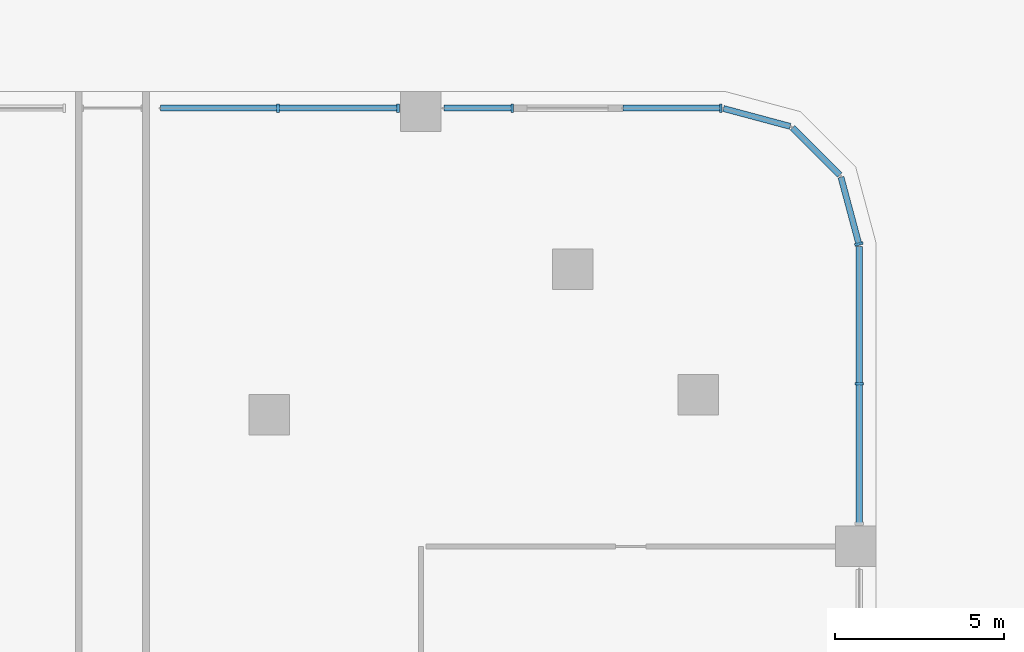
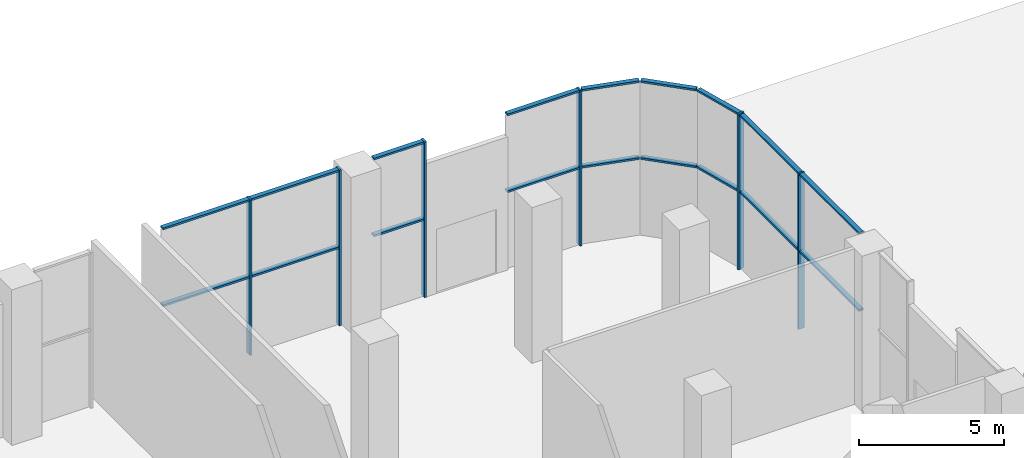
# One storey, part 10 of 34: 20 members, 5 elements without a shape of their own.
"""IFC4 building model written with IfcOpenShell, lengths in metres."""

from ifc_helpers import new_model, si_unit, direction, origin, place, context, subcontext, project, spatial, polyline, outline, extrude, source, transform, mapped, material, type_object, element, aggregate, save


model = new_model("IFC4")

# Units and contexts
model_context = context("Model", 3, precision=1e-05, world=origin(), true_north=direction((0.0, 1.0)))
body_context = subcontext(model_context, "Body", "Model", "MODEL_VIEW")
ifc_project = project(units=[si_unit("LENGTHUNIT", "METRE"), si_unit("AREAUNIT", "SQUARE_METRE"), si_unit("VOLUMEUNIT", "CUBIC_METRE"), si_unit("PLANEANGLEUNIT", "RADIAN"), si_unit("MASSUNIT", "GRAM", prefix="KILO")], contexts=[model_context])

# Site, building, storey
site_placement = place(None, origin())
site = spatial("IfcSite", under=ifc_project, at=site_placement, CompositionType="ELEMENT")
building_placement = place(site_placement, origin())
building = spatial("IfcBuilding", under=site, at=building_placement, Name="Zarbagh Exchange Tower", CompositionType="ELEMENT")
storey_placement = place(building_placement, origin())
storey = spatial("IfcBuildingStorey", under=building, at=storey_placement, Name="L00", CompositionType="ELEMENT", Elevation=0.0)

# Curtain wall, member
ifc_material_1 = material(Name="Anodised aluminium frame and glazing", Category="aluminium")
curtain_wall_type = type_object("IfcCurtainWallType", Name="CWC Podium garden-wall glazing", PredefinedType="NOTDEFINED", material=ifc_material_1)
curtain_wall_1_placement = place(storey_placement, origin())
curtain_wall_1 = element("IfcCurtainWall", 1, at=curtain_wall_1_placement, inside=storey, type_object=curtain_wall_type, Name="CWC21 curtain wall", PredefinedType="NOTDEFINED")
ifc_material_2 = material(Name="Anodised aluminium frame", Category="aluminium")
member_type_1 = type_object("IfcMemberType", Name="MUC Mullion, anodised aluminium frame", PredefinedType="MULLION", material=ifc_material_2)
shared_shape_1 = source(origin(), body_context, "Body", "SweptSolid", [
    extrude(outline(polyline([(0.0, -0.125), (0.080078125, -0.125), (0.080078125, 0.125), (0.0, 0.125), (0.0, -0.125)])), origin(), (0.0, 0.0, 1.0), 6.550048828125),
])
placement = place(storey_placement, origin())
member_1 = element("IfcMember", 2, at=placement, type_object=member_type_1, Name="CWC21 mullion 3.2", PredefinedType="MULLION", context=body_context, shape_type="MappedRepresentation", body=[
    mapped(shared_shape_1, transform((28.75, 47.537109375, 0.0), x_axis=(0.0, 1.0, 0.0), y_axis=(-1.0, 0.0, 0.0), z_axis=(0.0, 0.0, 1.0))),
])

curtain_wall_2_placement = place(storey_placement, origin())
curtain_wall_2 = element("IfcCurtainWall", 3, at=curtain_wall_2_placement, inside=storey, type_object=curtain_wall_type, Name="CWC22 curtain wall", PredefinedType="NOTDEFINED")
member_2 = element("IfcMember", 4, at=placement, type_object=member_type_1, Name="CWC22 mullion 1.1", PredefinedType="MULLION", context=body_context, shape_type="MappedRepresentation", body=[
    mapped(shared_shape_1, transform((28.75, 51.68408203125, 0.0), x_axis=(-0.258824779902, 0.965924289636, 0.0), y_axis=(-0.965924289636, -0.258824779902, 0.0), z_axis=(0.0, 0.0, 1.0))),
])

# Curtain wall, members
curtain_wall_3_placement = place(storey_placement, origin())
curtain_wall_3 = element("IfcCurtainWall", 5, at=curtain_wall_3_placement, inside=storey, type_object=curtain_wall_type, Name="CWC25 curtain wall", PredefinedType="NOTDEFINED")
member_3 = element("IfcMember", 6, at=placement, type_object=member_type_1, Name="CWC25 mullion 1.1", PredefinedType="MULLION", context=body_context, shape_type="MappedRepresentation", body=[
    mapped(shared_shape_1, transform((24.68408203125, 55.75, 0.0), x_axis=(-1.0, 0.0, 0.0), y_axis=(0.0, -1.0, 0.0), z_axis=(0.0, 0.0, 1.0))),
])
member_4 = element("IfcMember", 7, at=placement, type_object=member_type_1, Name="CWC25 mullion 2.1", PredefinedType="MULLION", context=body_context, shape_type="MappedRepresentation", body=[
    mapped(shared_shape_1, transform((18.5, 55.75, 0.0), x_axis=(-1.0, 0.0, 0.0), y_axis=(0.0, -1.0, 0.0), z_axis=(0.0, 0.0, 1.0))),
])
member_5 = element("IfcMember", 8, at=placement, type_object=member_type_1, Name="CWC25 mullion 3.1", PredefinedType="MULLION", context=body_context, shape_type="MappedRepresentation", body=[
    mapped(shared_shape_1, transform((15.10986328125, 55.75, 0.0), x_axis=(-1.0, 0.0, 0.0), y_axis=(0.0, -1.0, 0.0), z_axis=(0.0, 0.0, 1.0))),
])
member_6 = element("IfcMember", 9, at=placement, type_object=member_type_1, Name="CWC25 mullion 3.2", PredefinedType="MULLION", context=body_context, shape_type="MappedRepresentation", body=[
    mapped(shared_shape_1, transform((11.550048828125, 55.75, 0.0), x_axis=(-1.0, 0.0, 0.0), y_axis=(0.0, -1.0, 0.0), z_axis=(0.0, 0.0, 1.0))),
])
member_type_2 = type_object("IfcMemberType", Name="TRC Transom, anodised aluminium frame", PredefinedType="USERDEFINED", material=ifc_material_2)
shared_shape_2 = source(origin(), body_context, "Body", "SweptSolid", [
    extrude(outline(polyline([(-0.080078125, -0.090087890625), (0.0, -0.090087890625), (0.0, 0.090087890625), (-0.080078125, 0.090087890625), (-0.080078125, -0.090087890625)])), origin(), (0.0, 0.0, 1.0), 2.030029296875),
])
member_7 = element("IfcMember", 10, at=placement, type_object=member_type_2, Name="CWC25 transom 2.1", ObjectType="TRANSOM", PredefinedType="USERDEFINED", context=body_context, shape_type="MappedRepresentation", body=[
    mapped(shared_shape_2, transform((18.4599609375, 55.75, 6.550048828125), x_axis=(0.0, 0.0, 1.0), y_axis=(0.0, 1.0, 0.0), z_axis=(-1.0, 0.0, 0.0))),
])
shared_shape_3 = source(origin(), body_context, "Body", "SweptSolid", [
    extrude(outline(polyline([(-0.0400390625, -0.090087890625), (0.0400390625, -0.090087890625), (0.0400390625, 0.090087890625), (-0.0400390625, 0.090087890625), (-0.0400390625, -0.090087890625)])), origin(), (0.0, 0.0, 1.0), 2.030029296875),
])
member_8 = element("IfcMember", 11, at=placement, type_object=member_type_2, Name="CWC25 mid transom 2", ObjectType="TRANSOM", PredefinedType="USERDEFINED", context=body_context, shape_type="MappedRepresentation", body=[
    mapped(shared_shape_3, transform((18.4599609375, 55.75, 3.27490234375), x_axis=(0.0, 0.0, 1.0), y_axis=(0.0, 1.0, 0.0), z_axis=(-1.0, 0.0, 0.0))),
])

# Member
shared_shape_4 = source(origin(), body_context, "Body", "SweptSolid", [
    extrude(outline(polyline([(-0.080078125, -0.090087890625), (0.0, -0.090087890625), (0.0, 0.090087890625), (-0.080078125, 0.090087890625), (-0.080078125, -0.090087890625)])), origin(), (0.0, 0.0, 1.0), 2.049560546875),
])
member_9 = element("IfcMember", 12, at=placement, type_object=member_type_2, Name="CWC22 transom 1.1", ObjectType="TRANSOM", PredefinedType="USERDEFINED", context=body_context, shape_type="MappedRepresentation", body=[
    mapped(shared_shape_4, transform((28.73974609375, 51.722900390625, 6.550048828125), x_axis=(0.0, 0.0, 1.0), y_axis=(0.965924289636, 0.258824779902, 0.0), z_axis=(-0.258824779902, 0.965924289636, 0.0))),
])

# Curtain wall, member
curtain_wall_4_placement = place(storey_placement, origin())
curtain_wall_4 = element("IfcCurtainWall", 13, at=curtain_wall_4_placement, inside=storey, type_object=curtain_wall_type, Name="CWC24 curtain wall", PredefinedType="NOTDEFINED")
member_10 = element("IfcMember", 14, at=placement, type_object=member_type_2, Name="CWC24 transom 1.1", ObjectType="TRANSOM", PredefinedType="USERDEFINED", context=body_context, shape_type="MappedRepresentation", body=[
    mapped(shared_shape_4, transform((26.70263671875, 55.209228515625, 6.550048828125), x_axis=(0.0, 0.0, 1.0), y_axis=(0.258824779902, 0.965924289636, 0.0), z_axis=(-0.965924289636, 0.258824779902, 0.0))),
])

# Member
shared_shape_5 = source(origin(), body_context, "Body", "SweptSolid", [
    extrude(outline(polyline([(-0.0400390625, -0.090087890625), (0.0400390625, -0.090087890625), (0.0400390625, 0.090087890625), (-0.0400390625, 0.090087890625), (-0.0400390625, -0.090087890625)])), origin(), (0.0, 0.0, 1.0), 2.049560546875),
])
member_11 = element("IfcMember", 15, at=placement, type_object=member_type_2, Name="CWC22 mid transom 1", ObjectType="TRANSOM", PredefinedType="USERDEFINED", context=body_context, shape_type="MappedRepresentation", body=[
    mapped(shared_shape_5, transform((28.73974609375, 51.722900390625, 3.27490234375), x_axis=(0.0, 0.0, 1.0), y_axis=(0.965924289636, 0.258824779902, 0.0), z_axis=(-0.258824779902, 0.965924289636, 0.0))),
])

aggregate(curtain_wall_2, [member_2, member_9, member_11])

member_12 = element("IfcMember", 16, at=placement, type_object=member_type_2, Name="CWC24 mid transom 1", ObjectType="TRANSOM", PredefinedType="USERDEFINED", context=body_context, shape_type="MappedRepresentation", body=[
    mapped(shared_shape_5, transform((26.70263671875, 55.209228515625, 3.27490234375), x_axis=(0.0, 0.0, 1.0), y_axis=(0.258824779902, 0.965924289636, 0.0), z_axis=(-0.965924289636, 0.258824779902, 0.0))),
])

aggregate(curtain_wall_4, [member_10, member_12])

# Curtain wall, members
curtain_wall_5_placement = place(storey_placement, origin())
curtain_wall_5 = element("IfcCurtainWall", 17, at=curtain_wall_5_placement, inside=storey, type_object=curtain_wall_type, Name="CWC23 curtain wall", PredefinedType="NOTDEFINED")
shared_shape_6 = source(origin(), body_context, "Body", "SweptSolid", [
    extrude(outline(polyline([(-0.080078125, -0.090087890625), (0.0, -0.090087890625), (0.0, 0.090087890625), (-0.080078125, 0.090087890625), (-0.080078125, -0.090087890625)])), origin(), (0.0, 0.0, 1.0), 1.9814453125),
])
member_13 = element("IfcMember", 18, at=placement, type_object=member_type_2, Name="CWC23 transom 1.1", ObjectType="TRANSOM", PredefinedType="USERDEFINED", context=body_context, shape_type="MappedRepresentation", body=[
    mapped(shared_shape_6, transform((28.17041015625, 53.76953125, 6.550048828125), x_axis=(0.0, 0.0, 1.0), y_axis=(0.707106781187, 0.707106781187, 0.0), z_axis=(-0.707106781187, 0.707106781187, 0.0))),
])
shared_shape_7 = source(origin(), body_context, "Body", "SweptSolid", [
    extrude(outline(polyline([(-0.0400390625, -0.090087890625), (0.0400390625, -0.090087890625), (0.0400390625, 0.090087890625), (-0.0400390625, 0.090087890625), (-0.0400390625, -0.090087890625)])), origin(), (0.0, 0.0, 1.0), 1.9814453125),
])
member_14 = element("IfcMember", 19, at=placement, type_object=member_type_2, Name="CWC23 mid transom 1", ObjectType="TRANSOM", PredefinedType="USERDEFINED", context=body_context, shape_type="MappedRepresentation", body=[
    mapped(shared_shape_7, transform((28.17041015625, 53.76953125, 3.27490234375), x_axis=(0.0, 0.0, 1.0), y_axis=(0.707106781187, 0.707106781187, 0.0), z_axis=(-0.707106781187, 0.707106781187, 0.0))),
])
aggregate(curtain_wall_5, [member_13, member_14])

# Member
shared_shape_8 = source(origin(), body_context, "Body", "SweptSolid", [
    extrude(outline(polyline([(-0.080078125, -0.090087890625), (0.0, -0.090087890625), (0.0, 0.090087890625), (-0.080078125, 0.090087890625), (-0.080078125, -0.090087890625)])), origin(), (0.0, 0.0, 1.0), 8.214111328125),
])
member_15 = element("IfcMember", 20, at=placement, type_object=member_type_2, Name="CWC21 transom 3.1", ObjectType="TRANSOM", PredefinedType="USERDEFINED", context=body_context, shape_type="MappedRepresentation", body=[
    mapped(shared_shape_8, transform((28.75, 43.429931640625, 6.550048828125), x_axis=(0.0, 0.0, 1.0), y_axis=(1.0, 0.0, 0.0), z_axis=(0.0, 1.0, 0.0))),
])

shared_shape_9 = source(origin(), body_context, "Body", "SweptSolid", [
    extrude(outline(polyline([(-0.0400390625, -0.090087890625), (0.0400390625, -0.090087890625), (0.0400390625, 0.090087890625), (-0.0400390625, 0.090087890625), (-0.0400390625, -0.090087890625)])), origin(), (0.0, 0.0, 1.0), 8.214111328125),
])
member_16 = element("IfcMember", 21, at=placement, type_object=member_type_2, Name="CWC21 mid transom 3", ObjectType="TRANSOM", PredefinedType="USERDEFINED", context=body_context, shape_type="MappedRepresentation", body=[
    mapped(shared_shape_9, transform((28.75, 43.429931640625, 3.27490234375), x_axis=(0.0, 0.0, 1.0), y_axis=(1.0, 0.0, 0.0), z_axis=(0.0, 1.0, 0.0))),
])

aggregate(curtain_wall_1, [member_15, member_16, member_1])

shared_shape_10 = source(origin(), body_context, "Body", "SweptSolid", [
    extrude(outline(polyline([(-0.080078125, -0.090087890625), (0.0, -0.090087890625), (0.0, 0.090087890625), (-0.080078125, 0.090087890625), (-0.080078125, -0.090087890625)])), origin(), (0.0, 0.0, 1.0), 2.904052734375),
])
member_17 = element("IfcMember", 22, at=placement, type_object=member_type_2, Name="CWC25 transom 1.1", ObjectType="TRANSOM", PredefinedType="USERDEFINED", context=body_context, shape_type="MappedRepresentation", body=[
    mapped(shared_shape_10, transform((24.644287109375, 55.75, 6.550048828125), x_axis=(0.0, 0.0, 1.0), y_axis=(0.0, 1.0, 0.0), z_axis=(-1.0, 0.0, 0.0))),
])

shared_shape_11 = source(origin(), body_context, "Body", "SweptSolid", [
    extrude(outline(polyline([(-0.0400390625, -0.090087890625), (0.0400390625, -0.090087890625), (0.0400390625, 0.090087890625), (-0.0400390625, 0.090087890625), (-0.0400390625, -0.090087890625)])), origin(), (0.0, 0.0, 1.0), 2.904052734375),
])
member_18 = element("IfcMember", 23, at=placement, type_object=member_type_2, Name="CWC25 mid transom 1", ObjectType="TRANSOM", PredefinedType="USERDEFINED", context=body_context, shape_type="MappedRepresentation", body=[
    mapped(shared_shape_11, transform((24.644287109375, 55.75, 3.27490234375), x_axis=(0.0, 0.0, 1.0), y_axis=(0.0, 1.0, 0.0), z_axis=(-1.0, 0.0, 0.0))),
])

shared_shape_12 = source(origin(), body_context, "Body", "SweptSolid", [
    extrude(outline(polyline([(-0.080078125, -0.090087890625), (0.0, -0.090087890625), (0.0, 0.090087890625), (-0.080078125, 0.090087890625), (-0.080078125, -0.090087890625)])), origin(), (0.0, 0.0, 1.0), 7.0400390625),
])
member_19 = element("IfcMember", 24, at=placement, type_object=member_type_2, Name="CWC25 transom 3.1", ObjectType="TRANSOM", PredefinedType="USERDEFINED", context=body_context, shape_type="MappedRepresentation", body=[
    mapped(shared_shape_12, transform((15.070068359375, 55.75, 6.550048828125), x_axis=(0.0, 0.0, 1.0), y_axis=(0.0, 1.0, 0.0), z_axis=(-1.0, 0.0, 0.0))),
])

shared_shape_13 = source(origin(), body_context, "Body", "SweptSolid", [
    extrude(outline(polyline([(-0.0400390625, -0.090087890625), (0.0400390625, -0.090087890625), (0.0400390625, 0.090087890625), (-0.0400390625, 0.090087890625), (-0.0400390625, -0.090087890625)])), origin(), (0.0, 0.0, 1.0), 7.0400390625),
])
member_20 = element("IfcMember", 25, at=placement, type_object=member_type_2, Name="CWC25 mid transom 3", ObjectType="TRANSOM", PredefinedType="USERDEFINED", context=body_context, shape_type="MappedRepresentation", body=[
    mapped(shared_shape_13, transform((15.070068359375, 55.75, 3.27490234375), x_axis=(0.0, 0.0, 1.0), y_axis=(0.0, 1.0, 0.0), z_axis=(-1.0, 0.0, 0.0))),
])

aggregate(curtain_wall_3, [member_3, member_17, member_18, member_4, member_7, member_8, member_5, member_19, member_20, member_6])

save(model, "model.ifc")
